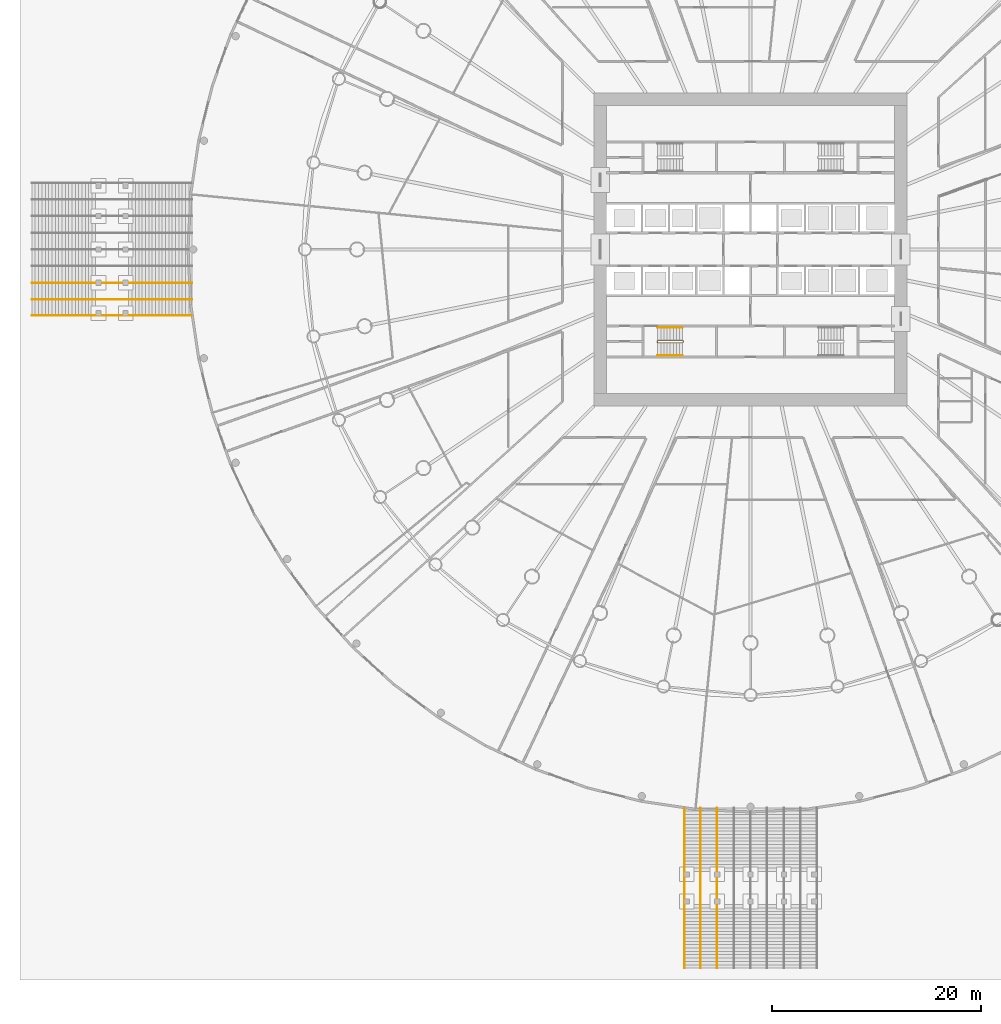
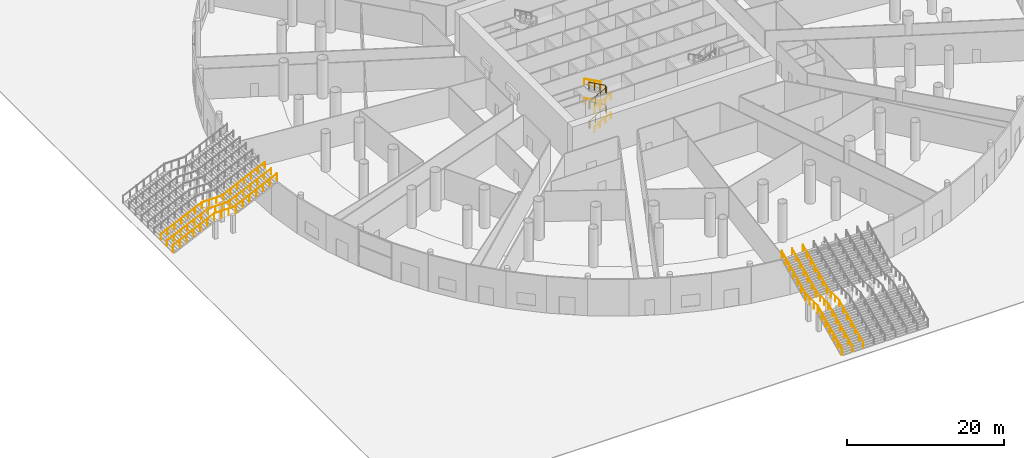
# One storey, part 27 of 33: 11 railings.
"""IFC4 building model written with IfcOpenShell, lengths in metres."""

from ifc_helpers import new_model, si_unit, direction, frame, origin, origin_2d, place, context, subcontext, project, spatial, circle, extrude, material, type_object, element, save


model = new_model("IFC4")

# Units and contexts
model_context = context("Model", 3, precision=1e-05, world=origin(), true_north=direction((0.0, 1.0)))
body_context = subcontext(model_context, "Body", "Model", "MODEL_VIEW")
ifc_project = project(units=[si_unit("LENGTHUNIT", "METRE"), si_unit("AREAUNIT", "SQUARE_METRE"), si_unit("VOLUMEUNIT", "CUBIC_METRE"), si_unit("PLANEANGLEUNIT", "RADIAN"), si_unit("MASSUNIT", "GRAM", prefix="KILO")], contexts=[model_context])

# Site, building, storey
site_placement = place(None, origin())
site = spatial("IfcSite", under=ifc_project, at=site_placement, CompositionType="ELEMENT")
building_placement = place(site_placement, origin())
building = spatial("IfcBuilding", under=site, at=building_placement, Name="Corvane Civic Tower", CompositionType="ELEMENT")
storey_placement = place(building_placement, origin())
storey = spatial("IfcBuildingStorey", under=building, at=storey_placement, Name="G", CompositionType="ELEMENT", Elevation=0.0)

# Railings
ifc_material_1 = material(Name="Steel ASTM A572 Gr 50", Category="steel")
railing_type_1 = type_object("IfcRailingType", Name="PODIUM-RL-GUARD-1100", PredefinedType="GUARDRAIL", material=ifc_material_1)
railing_1_placement = place(storey_placement, frame((-6.35009765625, -68.860107421875, 0.14990234375)))
element("IfcRailing", 1, at=railing_1_placement, inside=storey, type_object=railing_type_1, Name="South stair left guard", PredefinedType="GUARDRAIL", context=body_context, shape_type="SweptSolid", body=[
    extrude(circle(Radius=0.02392578125, at=origin_2d()), frame((0.0, 0.0, 1.076171875), z_axis=(0.0, 0.905455442782, 0.424441328262), x_axis=(-1.0, 0.0, 0.0)), (0.0, 0.0, 1.0), 6.71484375),
    extrude(circle(Radius=0.02392578125, at=origin_2d()), frame((0.0, 6.080078125, 3.92626953125), z_axis=(0.0, 1.0, 0.0), x_axis=(-1.0, 0.0, 0.0)), (0.0, 0.0, 1.0), 3.199951171875),
    extrude(circle(Radius=0.02392578125, at=origin_2d()), frame((0.0, 9.280029296875, 3.92626953125), z_axis=(0.0, 0.0, 1.0), x_axis=(1.0, 0.0, 0.0)), (0.0, 0.0, 1.0), 0.14990234375),
    extrude(circle(Radius=0.02392578125, at=origin_2d()), frame((0.0, 9.280029296875, 4.076171875), z_axis=(0.0, 0.905454092966, 0.424444207796), x_axis=(-1.0, 0.0, 0.0)), (0.0, 0.0, 1.0), 6.65966796875),
    extrude(circle(Radius=0.02099609375, at=origin_2d()), origin(), (0.0, 0.0, 1.0), 1.052001953125),
    extrude(circle(Radius=0.02099609375, at=origin_2d()), frame((0.0, 1.013427734375, 0.47509765625)), (0.0, 0.0, 1.0), 1.052001953125),
    extrude(circle(Radius=0.02099609375, at=origin_2d()), frame((0.0, 2.026611328125, 0.949951171875)), (0.0, 0.0, 1.0), 1.052001953125),
    extrude(circle(Radius=0.02099609375, at=origin_2d()), frame((0.0, 3.0400390625, 1.425048828125)), (0.0, 0.0, 1.0), 1.052001953125),
    extrude(circle(Radius=0.02099609375, at=origin_2d()), frame((0.0, 4.053466796875, 1.900146484375)), (0.0, 0.0, 1.0), 1.052001953125),
    extrude(circle(Radius=0.02099609375, at=origin_2d()), frame((0.0, 5.066650390625, 2.375)), (0.0, 0.0, 1.0), 1.052001953125),
    extrude(circle(Radius=0.02099609375, at=origin_2d()), frame((0.0, 6.080078125, 2.85009765625)), (0.0, 0.0, 1.0), 1.052001953125),
    extrude(circle(Radius=0.02099609375, at=origin_2d()), frame((0.0, 7.146728515625, 2.85009765625)), (0.0, 0.0, 1.0), 1.052001953125),
    extrude(circle(Radius=0.02099609375, at=origin_2d()), frame((0.0, 8.21337890625, 2.85009765625)), (0.0, 0.0, 1.0), 1.052001953125),
    extrude(circle(Radius=0.02099609375, at=origin_2d()), frame((0.0, 9.280029296875, 2.85009765625)), (0.0, 0.0, 1.0), 1.052001953125),
    extrude(circle(Radius=0.02099609375, at=origin_2d()), frame((0.0, 9.280029296875, 3.0)), (0.0, 0.0, 1.0), 1.052001953125),
    extrude(circle(Radius=0.02099609375, at=origin_2d()), frame((0.0, 10.28515625, 3.47119140625)), (0.0, 0.0, 1.0), 1.052001953125),
    extrude(circle(Radius=0.02099609375, at=origin_2d()), frame((0.0, 11.2900390625, 3.942138671875)), (0.0, 0.0, 1.0), 1.052001953125),
    extrude(circle(Radius=0.02099609375, at=origin_2d()), frame((0.0, 12.294921875, 4.413330078125)), (0.0, 0.0, 1.0), 1.052001953125),
    extrude(circle(Radius=0.02099609375, at=origin_2d()), frame((0.0, 13.300048828125, 4.884521484375)), (0.0, 0.0, 1.0), 1.052001953125),
    extrude(circle(Radius=0.02099609375, at=origin_2d()), frame((0.0, 14.30517578125, 5.35546875)), (0.0, 0.0, 1.0), 1.052001953125),
    extrude(circle(Radius=0.02099609375, at=origin_2d()), frame((0.0, 15.31005859375, 5.82666015625)), (0.0, 0.0, 1.0), 1.052001953125),
])
railing_2_placement = place(storey_placement, frame((-68.860107421875, -6.35009765625, 0.14990234375)))
element("IfcRailing", 2, at=railing_2_placement, inside=storey, type_object=railing_type_1, Name="West stair right guard", PredefinedType="GUARDRAIL", context=body_context, shape_type="SweptSolid", body=[
    extrude(circle(Radius=0.02392578125, at=origin_2d()), frame((0.0, 0.0, 1.076171875), z_axis=(0.905455442782, 0.0, 0.424441328262), x_axis=(0.0, 1.0, 0.0)), (0.0, 0.0, 1.0), 6.71484375),
    extrude(circle(Radius=0.02392578125, at=origin_2d()), frame((6.080078125, 0.0, 3.92626953125), z_axis=(1.0, 0.0, 0.0), x_axis=(0.0, 1.0, 0.0)), (0.0, 0.0, 1.0), 3.199951171875),
    extrude(circle(Radius=0.02392578125, at=origin_2d()), frame((9.280029296875, 0.0, 3.92626953125), z_axis=(0.0, 0.0, 1.0), x_axis=(1.0, 0.0, 0.0)), (0.0, 0.0, 1.0), 0.14990234375),
    extrude(circle(Radius=0.02392578125, at=origin_2d()), frame((9.280029296875, 0.0, 4.076171875), z_axis=(0.905454092966, 0.0, 0.424444207796), x_axis=(0.0, 1.0, 0.0)), (0.0, 0.0, 1.0), 6.65966796875),
    extrude(circle(Radius=0.02099609375, at=origin_2d()), origin(), (0.0, 0.0, 1.0), 1.052001953125),
    extrude(circle(Radius=0.02099609375, at=origin_2d()), frame((1.013427734375, 0.0, 0.47509765625)), (0.0, 0.0, 1.0), 1.052001953125),
    extrude(circle(Radius=0.02099609375, at=origin_2d()), frame((2.026611328125, 0.0, 0.949951171875)), (0.0, 0.0, 1.0), 1.052001953125),
    extrude(circle(Radius=0.02099609375, at=origin_2d()), frame((3.0400390625, 0.0, 1.425048828125)), (0.0, 0.0, 1.0), 1.052001953125),
    extrude(circle(Radius=0.02099609375, at=origin_2d()), frame((4.053466796875, 0.0, 1.900146484375)), (0.0, 0.0, 1.0), 1.052001953125),
    extrude(circle(Radius=0.02099609375, at=origin_2d()), frame((5.066650390625, 0.0, 2.375)), (0.0, 0.0, 1.0), 1.052001953125),
    extrude(circle(Radius=0.02099609375, at=origin_2d()), frame((6.080078125, 0.0, 2.85009765625)), (0.0, 0.0, 1.0), 1.052001953125),
    extrude(circle(Radius=0.02099609375, at=origin_2d()), frame((7.146728515625, 0.0, 2.85009765625)), (0.0, 0.0, 1.0), 1.052001953125),
    extrude(circle(Radius=0.02099609375, at=origin_2d()), frame((8.21337890625, 0.0, 2.85009765625)), (0.0, 0.0, 1.0), 1.052001953125),
    extrude(circle(Radius=0.02099609375, at=origin_2d()), frame((9.280029296875, 0.0, 2.85009765625)), (0.0, 0.0, 1.0), 1.052001953125),
    extrude(circle(Radius=0.02099609375, at=origin_2d()), frame((9.280029296875, 0.0, 3.0)), (0.0, 0.0, 1.0), 1.052001953125),
    extrude(circle(Radius=0.02099609375, at=origin_2d()), frame((10.28515625, 0.0, 3.47119140625)), (0.0, 0.0, 1.0), 1.052001953125),
    extrude(circle(Radius=0.02099609375, at=origin_2d()), frame((11.2900390625, 0.0, 3.942138671875)), (0.0, 0.0, 1.0), 1.052001953125),
    extrude(circle(Radius=0.02099609375, at=origin_2d()), frame((12.294921875, 0.0, 4.413330078125)), (0.0, 0.0, 1.0), 1.052001953125),
    extrude(circle(Radius=0.02099609375, at=origin_2d()), frame((13.300048828125, 0.0, 4.884521484375)), (0.0, 0.0, 1.0), 1.052001953125),
    extrude(circle(Radius=0.02099609375, at=origin_2d()), frame((14.30517578125, 0.0, 5.35546875)), (0.0, 0.0, 1.0), 1.052001953125),
    extrude(circle(Radius=0.02099609375, at=origin_2d()), frame((15.31005859375, 0.0, 5.82666015625)), (0.0, 0.0, 1.0), 1.052001953125),
])
ifc_material_2 = material(Name="Steel ASTM A572 Gr 50", Category="steel")
railing_type_2 = type_object("IfcRailingType", Name="PODIUM-RL-HANDRAIL-900", PredefinedType="HANDRAIL", material=ifc_material_2)
railing_3_placement = place(storey_placement, frame((-4.800048828125, -68.860107421875, 0.14990234375)))
element("IfcRailing", 3, at=railing_3_placement, inside=storey, type_object=railing_type_2, Name="South stair handrail 1", PredefinedType="HANDRAIL", context=body_context, shape_type="SweptSolid", body=[
    extrude(circle(Radius=0.02392578125, at=origin_2d()), frame((0.0, 0.0, 0.8759765625), z_axis=(0.0, 0.905455442782, 0.424441328262), x_axis=(-1.0, 0.0, 0.0)), (0.0, 0.0, 1.0), 6.71484375),
    extrude(circle(Radius=0.02392578125, at=origin_2d()), frame((0.0, 6.080078125, 3.72607421875), z_axis=(0.0, 1.0, 0.0), x_axis=(-1.0, 0.0, 0.0)), (0.0, 0.0, 1.0), 3.199951171875),
    extrude(circle(Radius=0.02392578125, at=origin_2d()), frame((0.0, 9.280029296875, 3.72607421875), z_axis=(0.0, 0.0, 1.0), x_axis=(1.0, 0.0, 0.0)), (0.0, 0.0, 1.0), 0.14990234375),
    extrude(circle(Radius=0.02392578125, at=origin_2d()), frame((0.0, 9.280029296875, 3.8759765625), z_axis=(0.0, 0.905455442782, 0.424441328262), x_axis=(-1.0, 0.0, 0.0)), (0.0, 0.0, 1.0), 6.71484375),
    extrude(circle(Radius=0.02099609375, at=origin_2d()), origin(), (0.0, 0.0, 1.0), 0.851806640625),
    extrude(circle(Radius=0.02099609375, at=origin_2d()), frame((0.0, 1.013427734375, 0.47509765625)), (0.0, 0.0, 1.0), 0.851806640625),
    extrude(circle(Radius=0.02099609375, at=origin_2d()), frame((0.0, 2.026611328125, 0.949951171875)), (0.0, 0.0, 1.0), 0.851806640625),
    extrude(circle(Radius=0.02099609375, at=origin_2d()), frame((0.0, 3.0400390625, 1.425048828125)), (0.0, 0.0, 1.0), 0.851806640625),
    extrude(circle(Radius=0.02099609375, at=origin_2d()), frame((0.0, 4.053466796875, 1.900146484375)), (0.0, 0.0, 1.0), 0.851806640625),
    extrude(circle(Radius=0.02099609375, at=origin_2d()), frame((0.0, 5.066650390625, 2.375)), (0.0, 0.0, 1.0), 0.851806640625),
    extrude(circle(Radius=0.02099609375, at=origin_2d()), frame((0.0, 6.080078125, 2.85009765625)), (0.0, 0.0, 1.0), 0.851806640625),
    extrude(circle(Radius=0.02099609375, at=origin_2d()), frame((0.0, 7.146728515625, 2.85009765625)), (0.0, 0.0, 1.0), 0.851806640625),
    extrude(circle(Radius=0.02099609375, at=origin_2d()), frame((0.0, 8.21337890625, 2.85009765625)), (0.0, 0.0, 1.0), 0.851806640625),
    extrude(circle(Radius=0.02099609375, at=origin_2d()), frame((0.0, 9.280029296875, 2.85009765625)), (0.0, 0.0, 1.0), 0.851806640625),
    extrude(circle(Radius=0.02099609375, at=origin_2d()), frame((0.0, 9.280029296875, 3.0)), (0.0, 0.0, 1.0), 0.851806640625),
    extrude(circle(Radius=0.02099609375, at=origin_2d()), frame((0.0, 10.29345703125, 3.47509765625)), (0.0, 0.0, 1.0), 0.851806640625),
    extrude(circle(Radius=0.02099609375, at=origin_2d()), frame((0.0, 11.306640625, 3.949951171875)), (0.0, 0.0, 1.0), 0.851806640625),
    extrude(circle(Radius=0.02099609375, at=origin_2d()), frame((0.0, 12.320068359375, 4.425048828125)), (0.0, 0.0, 1.0), 0.851806640625),
    extrude(circle(Radius=0.02099609375, at=origin_2d()), frame((0.0, 13.33349609375, 4.900146484375)), (0.0, 0.0, 1.0), 0.851806640625),
    extrude(circle(Radius=0.02099609375, at=origin_2d()), frame((0.0, 14.3466796875, 5.375)), (0.0, 0.0, 1.0), 0.851806640625),
    extrude(circle(Radius=0.02099609375, at=origin_2d()), frame((0.0, 15.360107421875, 5.85009765625)), (0.0, 0.0, 1.0), 0.851806640625),
])
railing_4_placement = place(storey_placement, frame((-3.199951171875, -68.860107421875, 0.14990234375)))
element("IfcRailing", 4, at=railing_4_placement, inside=storey, type_object=railing_type_2, Name="South stair handrail 2", PredefinedType="HANDRAIL", context=body_context, shape_type="SweptSolid", body=[
    extrude(circle(Radius=0.02392578125, at=origin_2d()), frame((0.0, 0.0, 0.8759765625), z_axis=(0.0, 0.905455442782, 0.424441328262), x_axis=(-1.0, 0.0, 0.0)), (0.0, 0.0, 1.0), 6.71484375),
    extrude(circle(Radius=0.02392578125, at=origin_2d()), frame((0.0, 6.080078125, 3.72607421875), z_axis=(0.0, 1.0, 0.0), x_axis=(-1.0, 0.0, 0.0)), (0.0, 0.0, 1.0), 3.199951171875),
    extrude(circle(Radius=0.02392578125, at=origin_2d()), frame((0.0, 9.280029296875, 3.72607421875), z_axis=(0.0, 0.0, 1.0), x_axis=(1.0, 0.0, 0.0)), (0.0, 0.0, 1.0), 0.14990234375),
    extrude(circle(Radius=0.02392578125, at=origin_2d()), frame((0.0, 9.280029296875, 3.8759765625), z_axis=(0.0, 0.905455442782, 0.424441328262), x_axis=(-1.0, 0.0, 0.0)), (0.0, 0.0, 1.0), 6.71484375),
    extrude(circle(Radius=0.02099609375, at=origin_2d()), origin(), (0.0, 0.0, 1.0), 0.851806640625),
    extrude(circle(Radius=0.02099609375, at=origin_2d()), frame((0.0, 1.013427734375, 0.47509765625)), (0.0, 0.0, 1.0), 0.851806640625),
    extrude(circle(Radius=0.02099609375, at=origin_2d()), frame((0.0, 2.026611328125, 0.949951171875)), (0.0, 0.0, 1.0), 0.851806640625),
    extrude(circle(Radius=0.02099609375, at=origin_2d()), frame((0.0, 3.0400390625, 1.425048828125)), (0.0, 0.0, 1.0), 0.851806640625),
    extrude(circle(Radius=0.02099609375, at=origin_2d()), frame((0.0, 4.053466796875, 1.900146484375)), (0.0, 0.0, 1.0), 0.851806640625),
    extrude(circle(Radius=0.02099609375, at=origin_2d()), frame((0.0, 5.066650390625, 2.375)), (0.0, 0.0, 1.0), 0.851806640625),
    extrude(circle(Radius=0.02099609375, at=origin_2d()), frame((0.0, 6.080078125, 2.85009765625)), (0.0, 0.0, 1.0), 0.851806640625),
    extrude(circle(Radius=0.02099609375, at=origin_2d()), frame((0.0, 7.146728515625, 2.85009765625)), (0.0, 0.0, 1.0), 0.851806640625),
    extrude(circle(Radius=0.02099609375, at=origin_2d()), frame((0.0, 8.21337890625, 2.85009765625)), (0.0, 0.0, 1.0), 0.851806640625),
    extrude(circle(Radius=0.02099609375, at=origin_2d()), frame((0.0, 9.280029296875, 2.85009765625)), (0.0, 0.0, 1.0), 0.851806640625),
    extrude(circle(Radius=0.02099609375, at=origin_2d()), frame((0.0, 9.280029296875, 3.0)), (0.0, 0.0, 1.0), 0.851806640625),
    extrude(circle(Radius=0.02099609375, at=origin_2d()), frame((0.0, 10.29345703125, 3.47509765625)), (0.0, 0.0, 1.0), 0.851806640625),
    extrude(circle(Radius=0.02099609375, at=origin_2d()), frame((0.0, 11.306640625, 3.949951171875)), (0.0, 0.0, 1.0), 0.851806640625),
    extrude(circle(Radius=0.02099609375, at=origin_2d()), frame((0.0, 12.320068359375, 4.425048828125)), (0.0, 0.0, 1.0), 0.851806640625),
    extrude(circle(Radius=0.02099609375, at=origin_2d()), frame((0.0, 13.33349609375, 4.900146484375)), (0.0, 0.0, 1.0), 0.851806640625),
    extrude(circle(Radius=0.02099609375, at=origin_2d()), frame((0.0, 14.3466796875, 5.375)), (0.0, 0.0, 1.0), 0.851806640625),
    extrude(circle(Radius=0.02099609375, at=origin_2d()), frame((0.0, 15.360107421875, 5.85009765625)), (0.0, 0.0, 1.0), 0.851806640625),
])
railing_5_placement = place(storey_placement, frame((-68.860107421875, -3.199951171875, 0.14990234375)))
element("IfcRailing", 5, at=railing_5_placement, inside=storey, type_object=railing_type_2, Name="West stair handrail 6", PredefinedType="HANDRAIL", context=body_context, shape_type="SweptSolid", body=[
    extrude(circle(Radius=0.02392578125, at=origin_2d()), frame((0.0, 0.0, 0.8759765625), z_axis=(0.905455442782, 0.0, 0.424441328262), x_axis=(0.0, 1.0, 0.0)), (0.0, 0.0, 1.0), 6.71484375),
    extrude(circle(Radius=0.02392578125, at=origin_2d()), frame((6.080078125, 0.0, 3.72607421875), z_axis=(1.0, 0.0, 0.0), x_axis=(0.0, 1.0, 0.0)), (0.0, 0.0, 1.0), 3.199951171875),
    extrude(circle(Radius=0.02392578125, at=origin_2d()), frame((9.280029296875, 0.0, 3.72607421875), z_axis=(0.0, 0.0, 1.0), x_axis=(1.0, 0.0, 0.0)), (0.0, 0.0, 1.0), 0.14990234375),
    extrude(circle(Radius=0.02392578125, at=origin_2d()), frame((9.280029296875, 0.0, 3.8759765625), z_axis=(0.905455442782, 0.0, 0.424441328262), x_axis=(0.0, 1.0, 0.0)), (0.0, 0.0, 1.0), 6.71484375),
    extrude(circle(Radius=0.02099609375, at=origin_2d()), origin(), (0.0, 0.0, 1.0), 0.851806640625),
    extrude(circle(Radius=0.02099609375, at=origin_2d()), frame((1.013427734375, 0.0, 0.47509765625)), (0.0, 0.0, 1.0), 0.851806640625),
    extrude(circle(Radius=0.02099609375, at=origin_2d()), frame((2.026611328125, 0.0, 0.949951171875)), (0.0, 0.0, 1.0), 0.851806640625),
    extrude(circle(Radius=0.02099609375, at=origin_2d()), frame((3.0400390625, 0.0, 1.425048828125)), (0.0, 0.0, 1.0), 0.851806640625),
    extrude(circle(Radius=0.02099609375, at=origin_2d()), frame((4.053466796875, 0.0, 1.900146484375)), (0.0, 0.0, 1.0), 0.851806640625),
    extrude(circle(Radius=0.02099609375, at=origin_2d()), frame((5.066650390625, 0.0, 2.375)), (0.0, 0.0, 1.0), 0.851806640625),
    extrude(circle(Radius=0.02099609375, at=origin_2d()), frame((6.080078125, 0.0, 2.85009765625)), (0.0, 0.0, 1.0), 0.851806640625),
    extrude(circle(Radius=0.02099609375, at=origin_2d()), frame((7.146728515625, 0.0, 2.85009765625)), (0.0, 0.0, 1.0), 0.851806640625),
    extrude(circle(Radius=0.02099609375, at=origin_2d()), frame((8.21337890625, 0.0, 2.85009765625)), (0.0, 0.0, 1.0), 0.851806640625),
    extrude(circle(Radius=0.02099609375, at=origin_2d()), frame((9.280029296875, 0.0, 2.85009765625)), (0.0, 0.0, 1.0), 0.851806640625),
    extrude(circle(Radius=0.02099609375, at=origin_2d()), frame((9.280029296875, 0.0, 3.0)), (0.0, 0.0, 1.0), 0.851806640625),
    extrude(circle(Radius=0.02099609375, at=origin_2d()), frame((10.29345703125, 0.0, 3.47509765625)), (0.0, 0.0, 1.0), 0.851806640625),
    extrude(circle(Radius=0.02099609375, at=origin_2d()), frame((11.306640625, 0.0, 3.949951171875)), (0.0, 0.0, 1.0), 0.851806640625),
    extrude(circle(Radius=0.02099609375, at=origin_2d()), frame((12.320068359375, 0.0, 4.425048828125)), (0.0, 0.0, 1.0), 0.851806640625),
    extrude(circle(Radius=0.02099609375, at=origin_2d()), frame((13.33349609375, 0.0, 4.900146484375)), (0.0, 0.0, 1.0), 0.851806640625),
    extrude(circle(Radius=0.02099609375, at=origin_2d()), frame((14.3466796875, 0.0, 5.375)), (0.0, 0.0, 1.0), 0.851806640625),
    extrude(circle(Radius=0.02099609375, at=origin_2d()), frame((15.360107421875, 0.0, 5.85009765625)), (0.0, 0.0, 1.0), 0.851806640625),
])
railing_6_placement = place(storey_placement, frame((-68.860107421875, -4.800048828125, 0.14990234375)))
element("IfcRailing", 6, at=railing_6_placement, inside=storey, type_object=railing_type_2, Name="West stair handrail 7", PredefinedType="HANDRAIL", context=body_context, shape_type="SweptSolid", body=[
    extrude(circle(Radius=0.02392578125, at=origin_2d()), frame((0.0, 0.0, 0.8759765625), z_axis=(0.905455442782, 0.0, 0.424441328262), x_axis=(0.0, 1.0, 0.0)), (0.0, 0.0, 1.0), 6.71484375),
    extrude(circle(Radius=0.02392578125, at=origin_2d()), frame((6.080078125, 0.0, 3.72607421875), z_axis=(1.0, 0.0, 0.0), x_axis=(0.0, 1.0, 0.0)), (0.0, 0.0, 1.0), 3.199951171875),
    extrude(circle(Radius=0.02392578125, at=origin_2d()), frame((9.280029296875, 0.0, 3.72607421875), z_axis=(0.0, 0.0, 1.0), x_axis=(1.0, 0.0, 0.0)), (0.0, 0.0, 1.0), 0.14990234375),
    extrude(circle(Radius=0.02392578125, at=origin_2d()), frame((9.280029296875, 0.0, 3.8759765625), z_axis=(0.905455442782, 0.0, 0.424441328262), x_axis=(0.0, 1.0, 0.0)), (0.0, 0.0, 1.0), 6.71484375),
    extrude(circle(Radius=0.02099609375, at=origin_2d()), origin(), (0.0, 0.0, 1.0), 0.851806640625),
    extrude(circle(Radius=0.02099609375, at=origin_2d()), frame((1.013427734375, 0.0, 0.47509765625)), (0.0, 0.0, 1.0), 0.851806640625),
    extrude(circle(Radius=0.02099609375, at=origin_2d()), frame((2.026611328125, 0.0, 0.949951171875)), (0.0, 0.0, 1.0), 0.851806640625),
    extrude(circle(Radius=0.02099609375, at=origin_2d()), frame((3.0400390625, 0.0, 1.425048828125)), (0.0, 0.0, 1.0), 0.851806640625),
    extrude(circle(Radius=0.02099609375, at=origin_2d()), frame((4.053466796875, 0.0, 1.900146484375)), (0.0, 0.0, 1.0), 0.851806640625),
    extrude(circle(Radius=0.02099609375, at=origin_2d()), frame((5.066650390625, 0.0, 2.375)), (0.0, 0.0, 1.0), 0.851806640625),
    extrude(circle(Radius=0.02099609375, at=origin_2d()), frame((6.080078125, 0.0, 2.85009765625)), (0.0, 0.0, 1.0), 0.851806640625),
    extrude(circle(Radius=0.02099609375, at=origin_2d()), frame((7.146728515625, 0.0, 2.85009765625)), (0.0, 0.0, 1.0), 0.851806640625),
    extrude(circle(Radius=0.02099609375, at=origin_2d()), frame((8.21337890625, 0.0, 2.85009765625)), (0.0, 0.0, 1.0), 0.851806640625),
    extrude(circle(Radius=0.02099609375, at=origin_2d()), frame((9.280029296875, 0.0, 2.85009765625)), (0.0, 0.0, 1.0), 0.851806640625),
    extrude(circle(Radius=0.02099609375, at=origin_2d()), frame((9.280029296875, 0.0, 3.0)), (0.0, 0.0, 1.0), 0.851806640625),
    extrude(circle(Radius=0.02099609375, at=origin_2d()), frame((10.29345703125, 0.0, 3.47509765625)), (0.0, 0.0, 1.0), 0.851806640625),
    extrude(circle(Radius=0.02099609375, at=origin_2d()), frame((11.306640625, 0.0, 3.949951171875)), (0.0, 0.0, 1.0), 0.851806640625),
    extrude(circle(Radius=0.02099609375, at=origin_2d()), frame((12.320068359375, 0.0, 4.425048828125)), (0.0, 0.0, 1.0), 0.851806640625),
    extrude(circle(Radius=0.02099609375, at=origin_2d()), frame((13.33349609375, 0.0, 4.900146484375)), (0.0, 0.0, 1.0), 0.851806640625),
    extrude(circle(Radius=0.02099609375, at=origin_2d()), frame((14.3466796875, 0.0, 5.375)), (0.0, 0.0, 1.0), 0.851806640625),
    extrude(circle(Radius=0.02099609375, at=origin_2d()), frame((15.360107421875, 0.0, 5.85009765625)), (0.0, 0.0, 1.0), 0.851806640625),
])
ifc_material_3 = material(Name="Steel ASTM A572 Gr 50", Category="steel")
railing_type_3 = type_object("IfcRailingType", Name="ST-GUARD-1100", PredefinedType="GUARDRAIL", material=ifc_material_3)
railing_7_placement = place(storey_placement, frame((-8.949951171875, -8.75, 0.0)))
element("IfcRailing", 7, at=railing_7_placement, inside=storey, type_object=railing_type_3, Name="G ST3 stair guard 1", PredefinedType="GUARDRAIL", context=body_context, shape_type="SweptSolid", body=[
    extrude(circle(Radius=0.02392578125, at=origin_2d()), frame((0.0, 0.0, 1.076171875), z_axis=(0.0, -1.0, 0.0), x_axis=(1.0, 0.0, 0.0)), (0.0, 0.0, 1.0), 0.14990234375),
    extrude(circle(Radius=0.02392578125, at=origin_2d()), frame((0.0, -0.14990234375, 1.076171875), z_axis=(0.27628659633, -0.27628659633, 0.920506074601), x_axis=(0.707106781187, 0.707106781187, 0.0)), (0.0, 0.0, 1.0), 0.18115234375),
    extrude(circle(Radius=0.02392578125, at=origin_2d()), frame((0.050048828125, -0.199951171875, 1.24267578125), z_axis=(0.874161470802, 0.0, 0.485635380677), x_axis=(0.0, 1.0, 0.0)), (0.0, 0.0, 1.0), 2.745361328125),
    extrude(circle(Radius=0.02392578125, at=origin_2d()), frame((2.449951171875, -0.199951171875, 2.576171875), z_axis=(0.707106781187, 0.707106781187, 0.0), x_axis=(-0.707106781187, 0.707106781187, 0.0)), (0.0, 0.0, 1.0), 0.07080078125),
    extrude(circle(Radius=0.02392578125, at=origin_2d()), frame((2.5, -0.14990234375, 2.576171875), z_axis=(0.0, 1.0, 0.0), x_axis=(-1.0, 0.0, 0.0)), (0.0, 0.0, 1.0), 0.14990234375),
    extrude(circle(Radius=0.02392578125, at=origin_2d()), frame((2.5, 0.0, 2.576171875), z_axis=(-0.27628659633, 0.27628659633, 0.920506074601), x_axis=(-0.707106781187, -0.707106781187, 0.0)), (0.0, 0.0, 1.0), 0.18115234375),
    extrude(circle(Radius=0.02392578125, at=origin_2d()), frame((2.449951171875, 0.050048828125, 2.74267578125), z_axis=(-0.874161470802, 0.0, 0.485635380677), x_axis=(0.0, -1.0, 0.0)), (0.0, 0.0, 1.0), 2.745361328125),
    extrude(circle(Radius=0.02392578125, at=origin_2d()), frame((0.050048828125, 0.050048828125, 4.076171875), z_axis=(-0.707106781187, -0.707106781187, 0.0), x_axis=(0.707106781187, -0.707106781187, 0.0)), (0.0, 0.0, 1.0), 0.07080078125),
    extrude(circle(Radius=0.02392578125, at=origin_2d()), frame((0.0, 0.0, 4.076171875), z_axis=(0.0, -1.0, 0.0), x_axis=(1.0, 0.0, 0.0)), (0.0, 0.0, 1.0), 0.14990234375),
    extrude(circle(Radius=0.02392578125, at=origin_2d()), frame((0.0, -0.14990234375, 4.076171875), z_axis=(0.27628659633, -0.27628659633, 0.920506074601), x_axis=(0.707106781187, 0.707106781187, 0.0)), (0.0, 0.0, 1.0), 0.18115234375),
    extrude(circle(Radius=0.02392578125, at=origin_2d()), frame((0.050048828125, -0.199951171875, 4.24267578125), z_axis=(0.874161470802, 0.0, 0.485635380677), x_axis=(0.0, 1.0, 0.0)), (0.0, 0.0, 1.0), 2.745361328125),
    extrude(circle(Radius=0.02392578125, at=origin_2d()), frame((2.449951171875, -0.199951171875, 5.576171875), z_axis=(0.707106781187, 0.707106781187, 0.0), x_axis=(-0.707106781187, 0.707106781187, 0.0)), (0.0, 0.0, 1.0), 0.07080078125),
    extrude(circle(Radius=0.02392578125, at=origin_2d()), frame((2.5, -0.14990234375, 5.576171875), z_axis=(0.0, 1.0, 0.0), x_axis=(-1.0, 0.0, 0.0)), (0.0, 0.0, 1.0), 0.14990234375),
    extrude(circle(Radius=0.02392578125, at=origin_2d()), frame((2.5, 0.0, 5.576171875), z_axis=(-0.27628659633, 0.27628659633, 0.920506074601), x_axis=(-0.707106781187, -0.707106781187, 0.0)), (0.0, 0.0, 1.0), 0.18115234375),
    extrude(circle(Radius=0.02392578125, at=origin_2d()), frame((2.449951171875, 0.050048828125, 5.74267578125), z_axis=(-0.874161470802, 0.0, 0.485635380677), x_axis=(0.0, -1.0, 0.0)), (0.0, 0.0, 1.0), 2.745361328125),
    extrude(circle(Radius=0.02099609375, at=origin_2d()), origin(), (0.0, 0.0, 1.0), 1.052001953125),
    extrude(circle(Radius=0.02099609375, at=origin_2d()), frame((0.0, -0.14990234375, 0.0)), (0.0, 0.0, 1.0), 1.052001953125),
    extrude(circle(Radius=0.02099609375, at=origin_2d()), frame((0.050048828125, -0.199951171875, 0.166748046875)), (0.0, 0.0, 1.0), 1.052001953125),
    extrude(circle(Radius=0.02099609375, at=origin_2d()), frame((0.85009765625, -0.199951171875, 0.611083984375)), (0.0, 0.0, 1.0), 1.052001953125),
    extrude(circle(Radius=0.02099609375, at=origin_2d()), frame((1.64990234375, -0.199951171875, 1.0556640625)), (0.0, 0.0, 1.0), 1.052001953125),
    extrude(circle(Radius=0.02099609375, at=origin_2d()), frame((2.449951171875, -0.199951171875, 1.5)), (0.0, 0.0, 1.0), 1.052001953125),
    extrude(circle(Radius=0.02099609375, at=origin_2d()), frame((2.5, -0.14990234375, 1.5)), (0.0, 0.0, 1.0), 1.052001953125),
    extrude(circle(Radius=0.02099609375, at=origin_2d()), frame((2.5, 0.0, 1.5)), (0.0, 0.0, 1.0), 1.052001953125),
    extrude(circle(Radius=0.02099609375, at=origin_2d()), frame((2.449951171875, 0.050048828125, 1.666748046875)), (0.0, 0.0, 1.0), 1.052001953125),
    extrude(circle(Radius=0.02099609375, at=origin_2d()), frame((1.64990234375, 0.050048828125, 2.111083984375)), (0.0, 0.0, 1.0), 1.052001953125),
    extrude(circle(Radius=0.02099609375, at=origin_2d()), frame((0.85009765625, 0.050048828125, 2.5556640625)), (0.0, 0.0, 1.0), 1.052001953125),
    extrude(circle(Radius=0.02099609375, at=origin_2d()), frame((0.050048828125, 0.050048828125, 3.0)), (0.0, 0.0, 1.0), 1.052001953125),
    extrude(circle(Radius=0.02099609375, at=origin_2d()), frame((0.0, 0.0, 3.0)), (0.0, 0.0, 1.0), 1.052001953125),
    extrude(circle(Radius=0.02099609375, at=origin_2d()), frame((0.0, -0.14990234375, 3.0)), (0.0, 0.0, 1.0), 1.052001953125),
    extrude(circle(Radius=0.02099609375, at=origin_2d()), frame((0.050048828125, -0.199951171875, 3.166748046875)), (0.0, 0.0, 1.0), 1.052001953125),
    extrude(circle(Radius=0.02099609375, at=origin_2d()), frame((0.85009765625, -0.199951171875, 3.611083984375)), (0.0, 0.0, 1.0), 1.052001953125),
    extrude(circle(Radius=0.02099609375, at=origin_2d()), frame((1.64990234375, -0.199951171875, 4.0556640625)), (0.0, 0.0, 1.0), 1.052001953125),
    extrude(circle(Radius=0.02099609375, at=origin_2d()), frame((2.449951171875, -0.199951171875, 4.5)), (0.0, 0.0, 1.0), 1.052001953125),
    extrude(circle(Radius=0.02099609375, at=origin_2d()), frame((2.5, -0.14990234375, 4.5)), (0.0, 0.0, 1.0), 1.052001953125),
    extrude(circle(Radius=0.02099609375, at=origin_2d()), frame((2.5, 0.0, 4.5)), (0.0, 0.0, 1.0), 1.052001953125),
    extrude(circle(Radius=0.02099609375, at=origin_2d()), frame((2.449951171875, 0.050048828125, 4.666748046875)), (0.0, 0.0, 1.0), 1.052001953125),
    extrude(circle(Radius=0.02099609375, at=origin_2d()), frame((1.64990234375, 0.050048828125, 5.111083984375)), (0.0, 0.0, 1.0), 1.052001953125),
    extrude(circle(Radius=0.02099609375, at=origin_2d()), frame((0.85009765625, 0.050048828125, 5.5556640625)), (0.0, 0.0, 1.0), 1.052001953125),
    extrude(circle(Radius=0.02099609375, at=origin_2d()), frame((0.050048828125, 0.050048828125, 6.0)), (0.0, 0.0, 1.0), 1.052001953125),
])
ifc_material_4 = material(Name="Steel ASTM A572 Gr 50", Category="steel")
railing_type_4 = type_object("IfcRailingType", Name="ST-HANDRAIL-900", PredefinedType="HANDRAIL", material=ifc_material_4)
railing_8_placement = place(storey_placement, frame((-8.89990234375, -10.14990234375, 0.166748046875)))
element("IfcRailing", 8, at=railing_8_placement, inside=storey, type_object=railing_type_4, Name="G ST3 stair handrail 1", PredefinedType="HANDRAIL", context=body_context, shape_type="SweptSolid", body=[
    extrude(circle(Radius=0.02392578125, at=origin_2d()), frame((0.0, 0.0, 0.8759765625), z_axis=(0.874161470802, 0.0, 0.485635380677), x_axis=(0.0, 1.0, 0.0)), (0.0, 0.0, 1.0), 2.745361328125),
    extrude(circle(Radius=0.02099609375, at=origin_2d()), origin(), (0.0, 0.0, 1.0), 0.851806640625),
    extrude(circle(Radius=0.02099609375, at=origin_2d()), frame((0.800048828125, 0.0, 0.4443359375)), (0.0, 0.0, 1.0), 0.851806640625),
    extrude(circle(Radius=0.02099609375, at=origin_2d()), frame((1.599853515625, 0.0, 0.888916015625)), (0.0, 0.0, 1.0), 0.851806640625),
    extrude(circle(Radius=0.02099609375, at=origin_2d()), frame((2.39990234375, 0.0, 1.333251953125)), (0.0, 0.0, 1.0), 0.851806640625),
])
railing_9_placement = place(storey_placement, frame((-6.5, -7.5, 1.666748046875)))
element("IfcRailing", 9, at=railing_9_placement, inside=storey, type_object=railing_type_4, Name="G ST3 stair handrail 2", PredefinedType="HANDRAIL", context=body_context, shape_type="SweptSolid", body=[
    extrude(circle(Radius=0.02392578125, at=origin_2d()), frame((0.0, 0.0, 0.8759765625), z_axis=(-0.874161470802, 0.0, 0.485635380677), x_axis=(0.0, -1.0, 0.0)), (0.0, 0.0, 1.0), 2.745361328125),
    extrude(circle(Radius=0.02099609375, at=origin_2d()), origin(), (0.0, 0.0, 1.0), 0.851806640625),
    extrude(circle(Radius=0.02099609375, at=origin_2d()), frame((-0.800048828125, 0.0, 0.4443359375)), (0.0, 0.0, 1.0), 0.851806640625),
    extrude(circle(Radius=0.02099609375, at=origin_2d()), frame((-1.599853515625, 0.0, 0.888916015625)), (0.0, 0.0, 1.0), 0.851806640625),
    extrude(circle(Radius=0.02099609375, at=origin_2d()), frame((-2.39990234375, 0.0, 1.333251953125)), (0.0, 0.0, 1.0), 0.851806640625),
])
railing_10_placement = place(storey_placement, frame((-8.89990234375, -10.14990234375, 3.166748046875)))
element("IfcRailing", 10, at=railing_10_placement, inside=storey, type_object=railing_type_4, Name="G ST3 stair handrail 3", PredefinedType="HANDRAIL", context=body_context, shape_type="SweptSolid", body=[
    extrude(circle(Radius=0.02392578125, at=origin_2d()), frame((0.0, 0.0, 0.8759765625), z_axis=(0.874161470802, 0.0, 0.485635380677), x_axis=(0.0, 1.0, 0.0)), (0.0, 0.0, 1.0), 2.745361328125),
    extrude(circle(Radius=0.02099609375, at=origin_2d()), origin(), (0.0, 0.0, 1.0), 0.851806640625),
    extrude(circle(Radius=0.02099609375, at=origin_2d()), frame((0.800048828125, 0.0, 0.4443359375)), (0.0, 0.0, 1.0), 0.851806640625),
    extrude(circle(Radius=0.02099609375, at=origin_2d()), frame((1.599853515625, 0.0, 0.888916015625)), (0.0, 0.0, 1.0), 0.851806640625),
    extrude(circle(Radius=0.02099609375, at=origin_2d()), frame((2.39990234375, 0.0, 1.333251953125)), (0.0, 0.0, 1.0), 0.851806640625),
])
railing_11_placement = place(storey_placement, frame((-6.5, -7.5, 4.666748046875)))
element("IfcRailing", 11, at=railing_11_placement, inside=storey, type_object=railing_type_4, Name="G ST3 stair handrail 4", PredefinedType="HANDRAIL", context=body_context, shape_type="SweptSolid", body=[
    extrude(circle(Radius=0.02392578125, at=origin_2d()), frame((0.0, 0.0, 0.8759765625), z_axis=(-0.874161470802, 0.0, 0.485635380677), x_axis=(0.0, -1.0, 0.0)), (0.0, 0.0, 1.0), 2.745361328125),
    extrude(circle(Radius=0.02099609375, at=origin_2d()), origin(), (0.0, 0.0, 1.0), 0.851806640625),
    extrude(circle(Radius=0.02099609375, at=origin_2d()), frame((-0.800048828125, 0.0, 0.4443359375)), (0.0, 0.0, 1.0), 0.851806640625),
    extrude(circle(Radius=0.02099609375, at=origin_2d()), frame((-1.599853515625, 0.0, 0.888916015625)), (0.0, 0.0, 1.0), 0.851806640625),
    extrude(circle(Radius=0.02099609375, at=origin_2d()), frame((-2.39990234375, 0.0, 1.333251953125)), (0.0, 0.0, 1.0), 0.851806640625),
])

save(model, "model.ifc")
